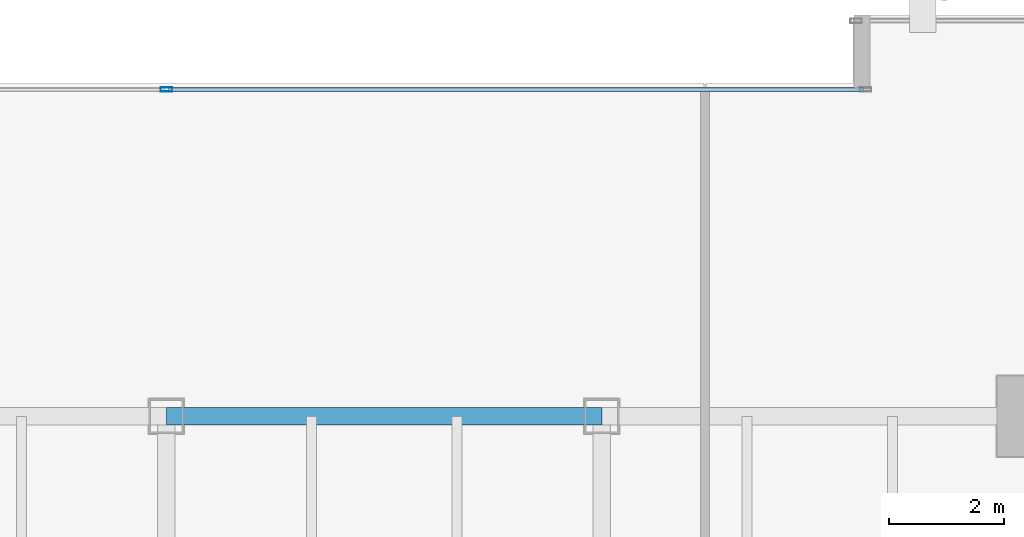
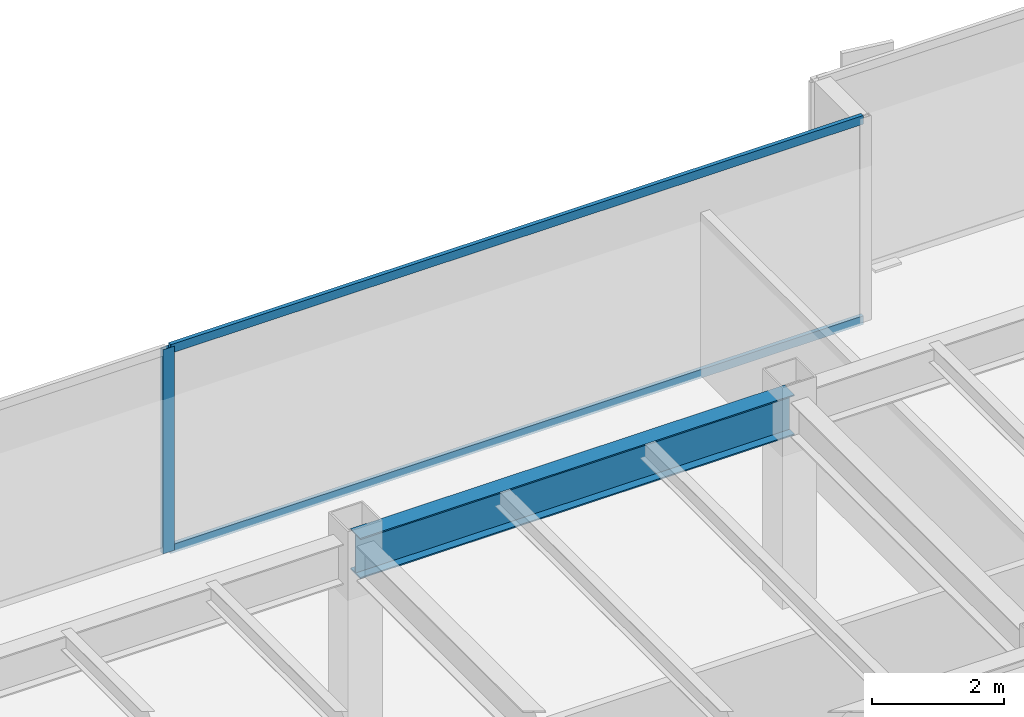
# One storey, part 18 of 37: 3 members, 1 beam, 1 element without a shape of its own.
"""IFC4 building model written with IfcOpenShell, lengths in metres."""

from ifc_helpers import new_model, si_unit, direction, frame, origin, origin_2d, place, context, subcontext, project, spatial, hollow_rectangle, i_section, extrude, source, transform, mapped, material, layer, layer_set, material_profile, profile_set, type_object, type_shapes, element, aggregate, save


model = new_model("IFC4")

# Units and contexts
model_context = context("Model", 3, precision=1e-05, world=origin(), true_north=direction((0.0, 1.0)))
body_context = subcontext(model_context, "Body", "Model", "MODEL_VIEW")
ifc_project = project(units=[si_unit("LENGTHUNIT", "METRE"), si_unit("AREAUNIT", "SQUARE_METRE"), si_unit("VOLUMEUNIT", "CUBIC_METRE"), si_unit("PLANEANGLEUNIT", "RADIAN"), si_unit("MASSUNIT", "GRAM", prefix="KILO")], contexts=[model_context])

# Site, building, storey
site_placement = place(None, origin())
site = spatial("IfcSite", under=ifc_project, at=site_placement, CompositionType="ELEMENT")
building_placement = place(site_placement, origin())
building = spatial("IfcBuilding", under=site, at=building_placement, Name="Haelvirn Gate Laboratories", CompositionType="ELEMENT")
storey_placement = place(building_placement, frame((0.0, 0.0, 74.39990234375)))
storey = spatial("IfcBuildingStorey", under=building, at=storey_placement, Name="L18", CompositionType="ELEMENT", Elevation=74.39990234375)

# Beam
ifc_material_1 = material(Name="Steel SM355", Category="steel")
ifc_material_profile_1 = material_profile(ifc_material_1, i_section(OverallWidth=0.300048828125, OverallDepth=0.75, WebThickness=0.013916015625, FlangeThickness=0.02392578125, at=origin_2d()), Name="H-750x300x14x24")
ifc_profile_set_1 = profile_set([ifc_material_profile_1], Name="Steel SM355")
beam_type = type_object("IfcBeamType", Name="BM-G-750", PredefinedType="BEAM", material=ifc_profile_set_1)
shared_shape_1 = source(origin(), body_context, "Body", "SweptSolid", [
    extrude(i_section(OverallWidth=0.300048828125, OverallDepth=0.75, WebThickness=0.013916015625, FlangeThickness=0.02392578125, at=origin_2d()), origin(), (0.0, 0.0, 1.0), 7.60009765625),
])
type_shapes(beam_type, [shared_shape_1])
beam_placement = place(storey_placement, frame((37.39990234375, 41.60009765625, 3.405029296875), z_axis=(1.0, 0.0, 0.0), x_axis=(0.0, 1.0, 0.0)))
element("IfcBeam", 1, at=beam_placement, inside=storey, type_object=beam_type, Name="L18 Primary Girder Y41.6 (37.4-45.0)", PredefinedType="BEAM", context=body_context, shape_type="MappedRepresentation", body=[
    mapped(shared_shape_1, transform((0.0, 0.0, 0.0), scale=1.0)),
])

# Curtain wall, members
ifc_material_2 = material(Name="Anodised bronze unitised aluminium & triple low-E glass", Category="aluminium")
ifc_layer = layer(ifc_material_2, 0.18408203125, Name="CW-SYS-2")
ifc_layer_set = layer_set([ifc_layer], Name="Anodised bronze unitised aluminium & triple low-E glass")
curtain_wall_type = type_object("IfcCurtainWallType", Name="CW-SYS-2", PredefinedType="NOTDEFINED", material=ifc_layer_set)
curtain_wall_placement = place(storey_placement, origin())
curtain_wall = element("IfcCurtainWall", 2, at=curtain_wall_placement, inside=storey, type_object=curtain_wall_type, Name="L18 Unitised Curtain Wall CW-L18-P0-E12-1", PredefinedType="NOTDEFINED")
ifc_material_3 = material(Name="Extruded aluminium 6063-T6 (anodised bronze)", Category="aluminium")
ifc_material_profile_2 = material_profile(ifc_material_3, hollow_rectangle(XDim=0.074951171875, YDim=0.199951171875, WallThickness=0.0048828125, at=origin_2d()), Name="CWM-200x75x5")
ifc_profile_set_2 = profile_set([ifc_material_profile_2], Name="Extruded aluminium 6063-T6 (anodised bronze)")
member_type_1 = type_object("IfcMemberType", Name="CWM-T200", PredefinedType="MULLION", material=ifc_profile_set_2)
shared_shape_2 = source(origin(), body_context, "Body", "SweptSolid", [
    extrude(hollow_rectangle(XDim=0.074951171875, YDim=0.199951171875, WallThickness=0.0048828125, at=origin_2d()), origin(), (0.0, 0.0, 1.0), 3.780029296875),
])
type_shapes(member_type_1, [shared_shape_2])
member_1_placement = place(storey_placement, frame((37.39990234375, 47.300048828125, 0.0), z_axis=(0.0, 0.0, 1.0), x_axis=(0.0, 1.0, 0.0)))
member_1 = element("IfcMember", 3, at=member_1_placement, type_object=member_type_1, Name="CW2 mullion 2", PredefinedType="MULLION", context=body_context, shape_type="MappedRepresentation", body=[
    mapped(shared_shape_2, transform((0.0, 0.0, 0.0), scale=1.0)),
])
ifc_material_profile_3 = material_profile(ifc_material_3, hollow_rectangle(XDim=0.070068359375, YDim=0.159912109375, WallThickness=0.0048828125, at=origin_2d()), Name="CWT-160x70x5")
ifc_profile_set_3 = profile_set([ifc_material_profile_3], Name="Extruded aluminium 6063-T6 (anodised bronze)")
member_type_2 = type_object("IfcMemberType", Name="CWT-T160", PredefinedType="USERDEFINED", material=ifc_profile_set_3)
shared_shape_3 = source(origin(), body_context, "Body", "SweptSolid", [
    extrude(hollow_rectangle(XDim=0.070068359375, YDim=0.159912109375, WallThickness=0.0048828125, at=origin_2d()), origin(), (0.0, 0.0, 1.0), 12.12744140625),
])
type_shapes(member_type_2, [shared_shape_3])
member_2_placement = place(storey_placement, frame((37.4375, 47.300048828125, 0.03515625), z_axis=(1.0, 0.0, 0.0), x_axis=(0.0, 1.0, 0.0)))
member_2 = element("IfcMember", 4, at=member_2_placement, type_object=member_type_2, Name="CW2 transom 2.1", ObjectType="TRANSOM", PredefinedType="USERDEFINED", context=body_context, shape_type="MappedRepresentation", body=[
    mapped(shared_shape_3, transform((0.0, 0.0, 0.0), scale=1.0)),
])
member_3_placement = place(storey_placement, frame((37.4375, 47.300048828125, 3.7451171875), z_axis=(1.0, 0.0, 0.0), x_axis=(0.0, 1.0, 0.0)))
member_3 = element("IfcMember", 5, at=member_3_placement, type_object=member_type_2, Name="CW2 transom 2.2", ObjectType="TRANSOM", PredefinedType="USERDEFINED", context=body_context, shape_type="MappedRepresentation", body=[
    mapped(shared_shape_3, transform((0.0, 0.0, 0.0), scale=1.0)),
])
aggregate(curtain_wall, [member_1, member_2, member_3])

save(model, "model.ifc")
